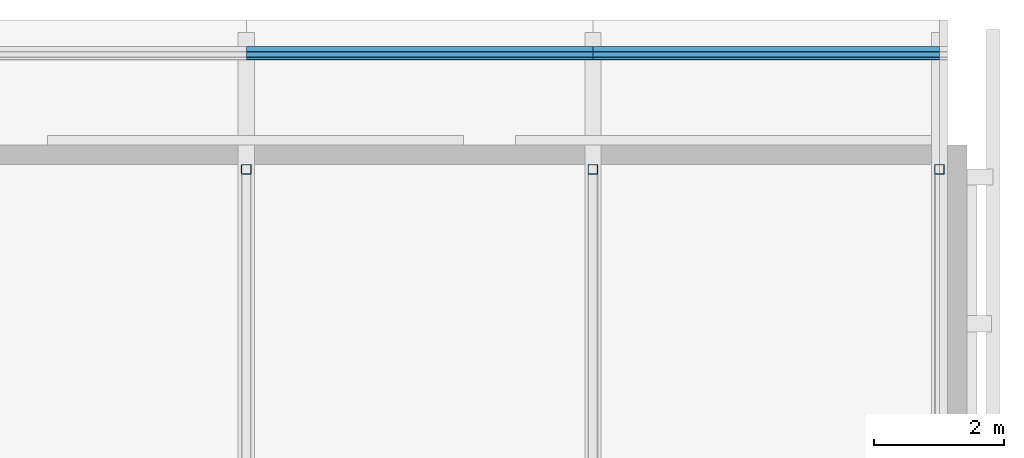
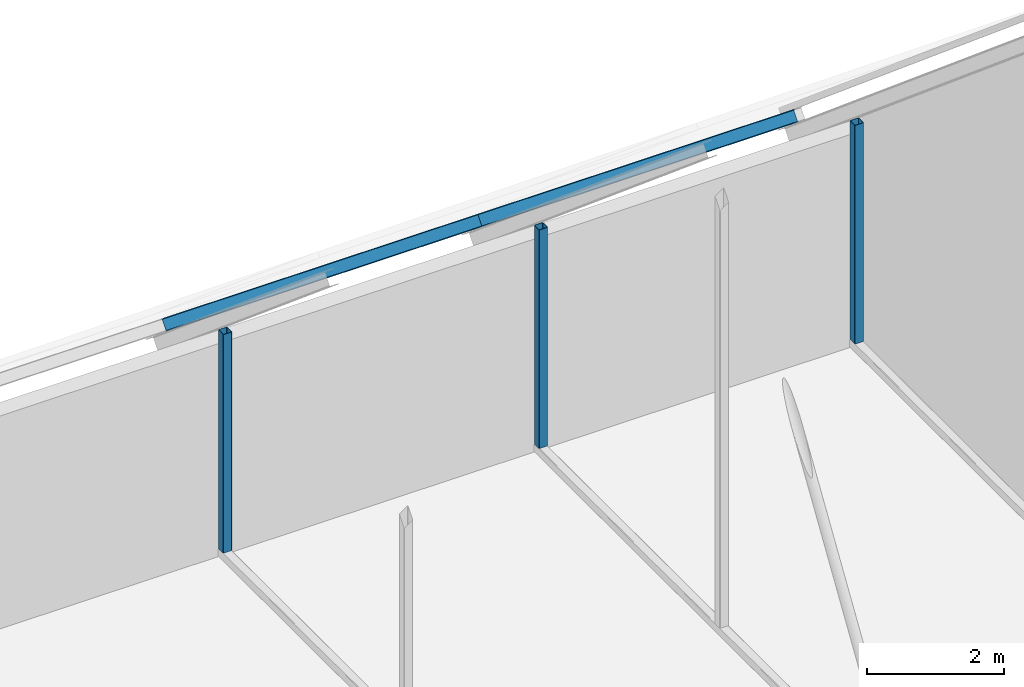
# One storey, part 22 of 29: 5 members.
"""IFC4 building model written with IfcOpenShell, lengths in metres."""

from ifc_helpers import new_model, si_unit, direction, frame, origin, origin_2d, place, context, subcontext, project, spatial, hollow_rectangle, i_section, extrude, material, material_profile, profile_set, type_object, element, save


model = new_model("IFC4")

# Units and contexts
model_context = context("Model", 3, precision=1e-05, world=origin(), true_north=direction((0.0, 1.0)))
body_context = subcontext(model_context, "Body", "Model", "MODEL_VIEW")
ifc_project = project(units=[si_unit("LENGTHUNIT", "METRE"), si_unit("AREAUNIT", "SQUARE_METRE"), si_unit("VOLUMEUNIT", "CUBIC_METRE"), si_unit("PLANEANGLEUNIT", "RADIAN"), si_unit("MASSUNIT", "GRAM", prefix="KILO")], contexts=[model_context])

# Site, building, storey
site_placement = place(None, origin())
site = spatial("IfcSite", under=ifc_project, at=site_placement, CompositionType="ELEMENT")
building_placement = place(site_placement, origin())
building = spatial("IfcBuilding", under=site, at=building_placement, Name="Silangan Lancet Faculty of Sciences", CompositionType="ELEMENT")
storey_placement = place(building_placement, frame((0.0, 0.0, 54.300048828125)))
storey = spatial("IfcBuildingStorey", under=building, at=storey_placement, Name="L11", CompositionType="ELEMENT", Elevation=54.300048828125)

# Members
ifc_material_1 = material(Name="Steel SS400", Category="steel")
ifc_material_profile_1 = material_profile(ifc_material_1, i_section(OverallWidth=0.10009765625, OverallDepth=0.199951171875, WebThickness=0.005615234375, FlangeThickness=0.008056640625, FilletRadius=0.008056640625, at=origin_2d()), Name="H 200x100x5.5x8")
ifc_profile_set_1 = profile_set([ifc_material_profile_1], Name="Steel SS400")
member_type_1 = type_object("IfcMemberType", Name="Sheeting purlin H 200x100x5.5x8", PredefinedType="PURLIN", material=ifc_profile_set_1)
member_1_placement = place(storey_placement, frame((17.862548828125, 59.161865234375, 3.071044921875), z_axis=(1.0, 0.0, 0.0), x_axis=(0.0, 0.765704867842, -0.64319208279)))
element("IfcMember", 1, at=member_1_placement, inside=storey, type_object=member_type_1, Name="Gable purlin 4N1", PredefinedType="PURLIN", context=body_context, shape_type="SweptSolid", body=[
    extrude(i_section(OverallWidth=0.10009765625, OverallDepth=0.199951171875, WebThickness=0.005615234375, FlangeThickness=0.008056640625, FilletRadius=0.008056640625, at=origin_2d()), origin(), (0.0, 0.0, 1.0), 5.331298828125),
])
member_2_placement = place(storey_placement, frame((23.19384765625, 59.161865234375, 3.071044921875), z_axis=(1.0, 0.0, 0.0), x_axis=(0.0, 0.765704867842, -0.64319208279)))
element("IfcMember", 2, at=member_2_placement, inside=storey, type_object=member_type_1, Name="Gable purlin 5N1", PredefinedType="PURLIN", context=body_context, shape_type="SweptSolid", body=[
    extrude(i_section(OverallWidth=0.10009765625, OverallDepth=0.199951171875, WebThickness=0.005615234375, FlangeThickness=0.008056640625, FilletRadius=0.008056640625, at=origin_2d()), origin(), (0.0, 0.0, 1.0), 5.3310546875),
])
ifc_material_2 = material(Name="Steel STKR400", Category="steel")
ifc_material_profile_2 = material_profile(ifc_material_2, hollow_rectangle(XDim=0.14990234375, YDim=0.14990234375, WallThickness=0.006103515625, InnerFilletRadius=0.006103515625, OuterFilletRadius=0.011962890625, at=origin_2d()), Name="SHS 150x150x6.0")
ifc_profile_set_2 = profile_set([ifc_material_profile_2], Name="Steel STKR400")
member_type_2 = type_object("IfcMemberType", Name="Truss post SHS 150x150x6.0", PredefinedType="POST", material=ifc_profile_set_2)
for number, where, z_axis, x_axis, name in (
    (3, (17.862548828125, 57.375, 0.14990234375), (0.0, 0.0, 1.0), (1.0, 0.0, 0.0), "Gable truss 3 eave post N"),
    (4, (23.19384765625, 57.375, 0.14990234375), (0.0, 0.0, 1.0), (1.0, 0.0, 0.0), "Gable truss 4 eave post N"),
    (5, (28.52490234375, 57.375, 0.14990234375), (0.0, 0.0, 1.0), (1.0, 0.0, 0.0), "Gable truss 5 eave post N"),
):
    element("IfcMember", number, at=place(storey_placement, frame(where, z_axis=z_axis, x_axis=x_axis)), inside=storey, type_object=member_type_2, Name=name, PredefinedType="POST", context=body_context, shape_type="SweptSolid", body=[
        extrude(hollow_rectangle(XDim=0.14990234375, YDim=0.14990234375, WallThickness=0.006103515625, InnerFilletRadius=0.006103515625, OuterFilletRadius=0.011962890625, at=origin_2d()), origin(), (0.0, 0.0, 1.0), 3.902099609375),
    ])

save(model, "model.ifc")
